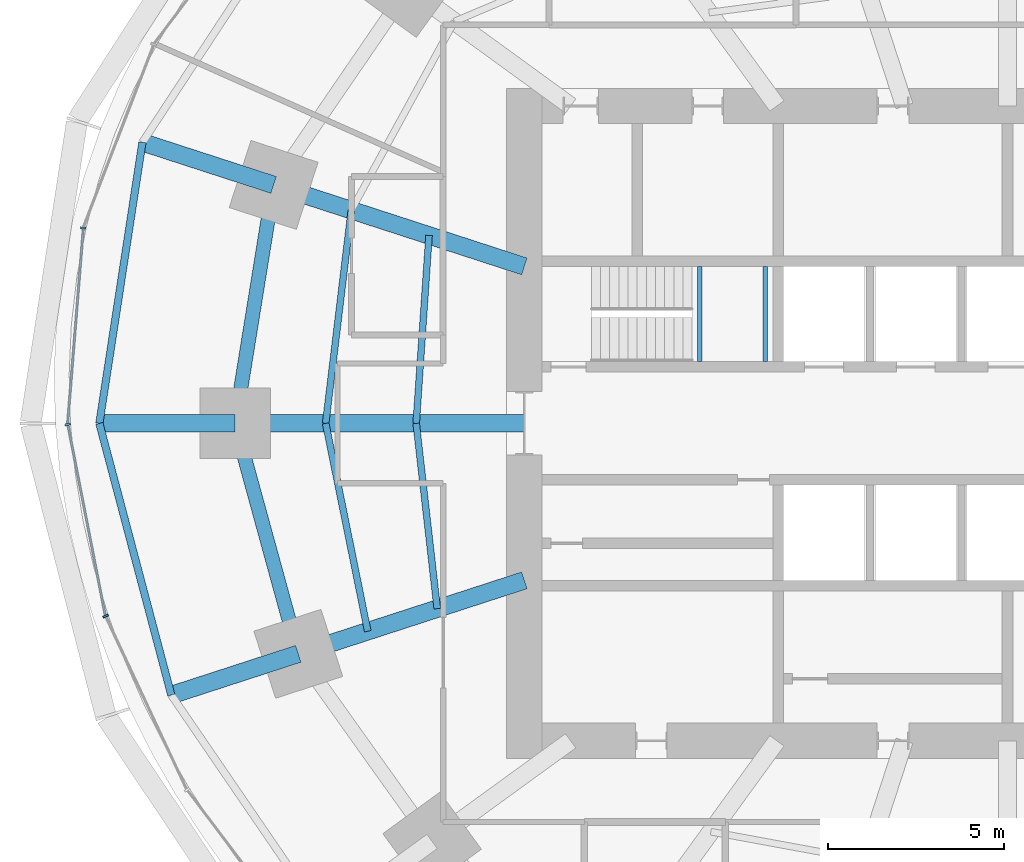
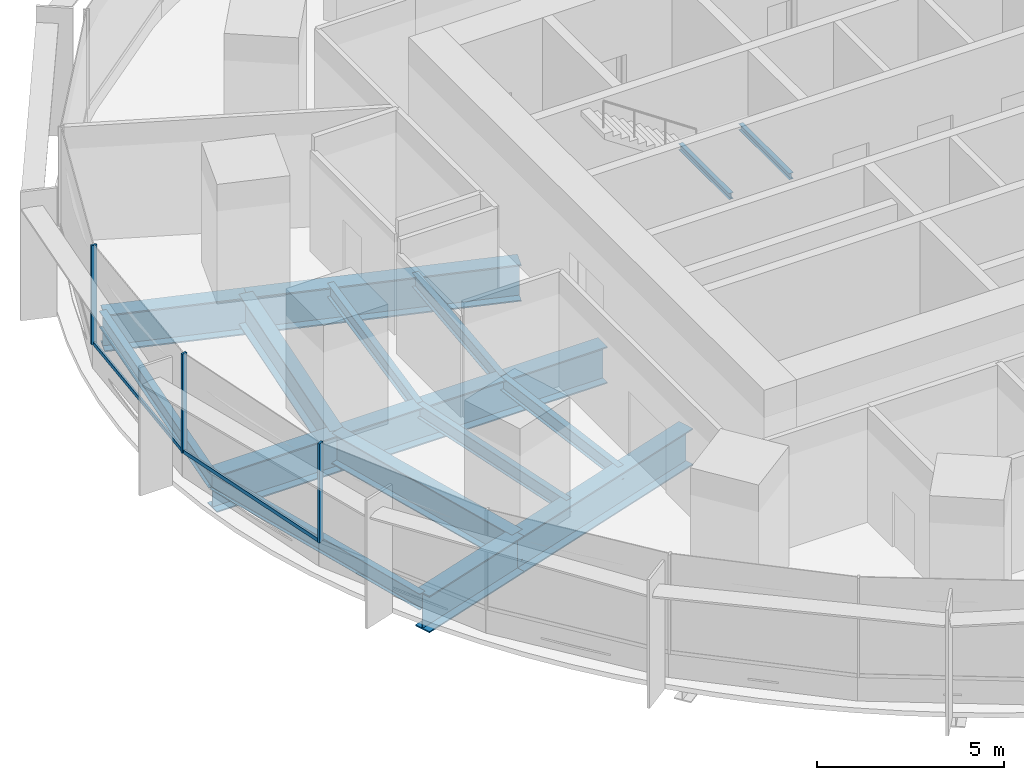
# One storey, part 4 of 15: 16 beams, 5 members, 2 elements without a shape of their own.
"""IFC4 building model written with IfcOpenShell, lengths in metres."""

import ifcopenshell
import ifcopenshell.guid

model = None  # the IFC model being written
_history = None  # IfcOwnerHistory: only IFC2X3 demands one
_inside = {}  # id of a spatial element -> (the spatial element, [elements in it])
_under = {}  # id of a project, library or spatial element -> (it, [spatial elements below it])
_declared = {}  # id of a project -> (the project, [libraries it declares])
_typed = {}  # id of a type object -> (the type object, [elements of that type])
_made_of = {}  # id of a material, layer set ... -> (it, [elements and type objects made of it])


def new_model(schema):
    """Start an empty IFC model of exactly this schema.

    Asked for "IFC4X3", IfcOpenShell would pick the latest addendum, in which some entities
    have other attributes; the version numbers below select the first issue.
    IFC2X3 requires an IfcOwnerHistory on every rooted entity: one is made here for all.
    """
    global model, _history
    if schema == "IFC4X3":
        model = ifcopenshell.file(schema_version=(4, 3, 0, 0))
    else:
        model = ifcopenshell.file(schema=schema)
    _inside.clear()
    _under.clear()
    _declared.clear()
    _typed.clear()
    _made_of.clear()
    _history = None
    if model.schema == "IFC2X3":
        org = make("IfcOrganization", Name="unknown")
        user = make(
            "IfcPersonAndOrganization",
            ThePerson=make("IfcPerson", FamilyName="unknown"),
            TheOrganization=org,
        )
        app = make(
            "IfcApplication",
            ApplicationDeveloper=org,
            Version="unknown",
            ApplicationFullName="unknown",
            ApplicationIdentifier="unknown",
        )
        _history = make(
            "IfcOwnerHistory",
            OwningUser=user,
            OwningApplication=app,
            ChangeAction="ADDED",
            CreationDate=0,
        )
    return model


def make(cls, **values):
    """One entity of the class cls with the attributes given. An attribute that is None is left unset."""
    return model.create_entity(
        cls, **{name: value for name, value in values.items() if value is not None}
    )


def rooted(cls, **values):
    """An entity with a GlobalId (a new one), such as an element, a storey or a relation."""
    return make(cls, GlobalId=ifcopenshell.guid.new(), OwnerHistory=_history, **values)


def si_unit(unit_type, name, prefix=None):
    """IfcSIUnit, for example si_unit("LENGTHUNIT", "METRE", prefix="MILLI")."""
    return make("IfcSIUnit", UnitType=unit_type, Prefix=prefix, Name=name)


def assignment(units):
    """IfcUnitAssignment: the units of a project."""
    return None if units is None else make("IfcUnitAssignment", Units=units)


def point(xyz):
    """IfcCartesianPoint."""
    return None if xyz is None else make("IfcCartesianPoint", Coordinates=xyz)


def direction(xyz):
    """IfcDirection."""
    return None if xyz is None else make("IfcDirection", DirectionRatios=xyz)


def frame(location, z_axis=None, x_axis=None):
    """IfcAxis2Placement3D, a coordinate frame: its origin and axes. An axis left out is left unset."""
    return make(
        "IfcAxis2Placement3D",
        Location=point(location),
        Axis=direction(z_axis),
        RefDirection=direction(x_axis),
    )


def frame_2d(location, x_axis=None):
    """IfcAxis2Placement2D, a coordinate frame in the plane: its origin and x axis."""
    return make(
        "IfcAxis2Placement2D", Location=point(location), RefDirection=direction(x_axis)
    )


def origin():
    """The frame at (0, 0, 0) with its axes left unset."""
    return frame((0.0, 0.0, 0.0))


def origin_2d():
    """The frame at (0, 0) in the plane with its x axis left unset."""
    return frame_2d((0.0, 0.0))


def place(relative_to, where):
    """IfcLocalPlacement: puts the frame where relative to a parent placement (None: the world)."""
    return make(
        "IfcLocalPlacement", PlacementRelTo=relative_to, RelativePlacement=where
    )


def context(
    kind, dimensions, precision=None, world=None, true_north=None, identifier=None
):
    """IfcGeometricRepresentationContext, for example the 3D "Model" context."""
    return make(
        "IfcGeometricRepresentationContext",
        ContextIdentifier=identifier,
        ContextType=kind,
        CoordinateSpaceDimension=dimensions,
        Precision=precision,
        WorldCoordinateSystem=world,
        TrueNorth=true_north,
    )


def subcontext(parent, identifier, kind, view, scale=None):
    """IfcGeometricRepresentationSubContext, for example "Body" below "Model"."""
    return make(
        "IfcGeometricRepresentationSubContext",
        ContextIdentifier=identifier,
        ContextType=kind,
        ParentContext=parent,
        TargetScale=scale,
        TargetView=view,
    )


def project(units=None, contexts=None):
    """IfcProject with its units and contexts."""
    return rooted(
        "IfcProject",
        Name="project",
        RepresentationContexts=contexts,
        UnitsInContext=assignment(units),
    )


def spatial(cls, under=None, at=None, **own):
    """A site, building, storey or space (cls), placed at a placement, below another one or the project."""
    s = rooted(cls, ObjectPlacement=at, **own)
    if under is not None:
        _under.setdefault(under.id(), (under, []))[1].append(s)
    return s


def profile(cls, at=None, kind="AREA", **sizes):
    """A parametric profile (cls). Its sizes go by their IFC names, for example OverallWidth=200.0."""
    return make(cls, ProfileType=kind, Position=at, **sizes)


def rectangle(**sizes):
    """IfcRectangleProfileDef."""
    return profile("IfcRectangleProfileDef", **sizes)


def i_section(**sizes):
    """IfcIShapeProfileDef."""
    return profile("IfcIShapeProfileDef", **sizes)


def extrude(swept, where, along, depth):
    """IfcExtrudedAreaSolid: the profile swept, set in the frame where, extruded along a direction by depth."""
    return make(
        "IfcExtrudedAreaSolid",
        SweptArea=swept,
        Position=where,
        ExtrudedDirection=direction(along),
        Depth=depth,
    )


def shape(context_of_items, identifier, shape_type, items):
    """IfcShapeRepresentation: the items that make up one representation, for example the "Body"."""
    return make(
        "IfcShapeRepresentation",
        ContextOfItems=context_of_items,
        RepresentationIdentifier=identifier,
        RepresentationType=shape_type,
        Items=items,
    )


def material(Name=None, Category=None):
    """IfcMaterial."""
    return make("IfcMaterial", Name=Name, Category=Category)


def material_profile(
    of_material, cross_section, Name=None, Category=None, Priority=None
):
    """IfcMaterialProfile: a cross section and its material."""
    return make(
        "IfcMaterialProfile",
        Name=Name,
        Material=of_material,
        Profile=cross_section,
        Priority=Priority,
        Category=Category,
    )


def profile_set(profiles, Name=None, composite=None):
    """IfcMaterialProfileSet."""
    return make(
        "IfcMaterialProfileSet",
        Name=Name,
        MaterialProfiles=profiles,
        CompositeProfile=composite,
    )


def made_of(thing, what):
    """Note that an element or type object is made of a material, layer set ...; save() writes the relation."""
    if what is not None:
        _made_of.setdefault(what.id(), (what, []))[1].append(thing)
    return thing


def type_object(cls, material=None, **own):
    """A type object (cls), such as IfcWallType, which elements share."""
    return made_of(rooted(cls, **own), material)


def element(
    cls,
    number,
    at=None,
    inside=None,
    cuts=None,
    type_object=None,
    material=None,
    context=None,
    identifier="Body",
    shape_type=None,
    held_by="IfcProductDefinitionShape",
    body=None,
    shapes=None,
    **own,
):
    """One element of the class cls, such as IfcWall. Its Tag is "e" and its number.

    at: its placement. inside: the storey or other place that contains it. cuts: it is an
    opening in that element (IfcRelVoidsElement). A single representation is given by context,
    identifier, shape_type and body (its items); several are given by shapes. held_by: the class
    of the entity that holds the representations. save() writes the other relations.
    """
    e = rooted(cls, Tag="e%d" % number, ObjectPlacement=at, **own)
    if body is not None:
        shapes = [shape(context, identifier, shape_type, body)]
    if shapes is not None:
        e.Representation = make(held_by, Representations=shapes)
    if inside is not None:
        _inside.setdefault(inside.id(), (inside, []))[1].append(e)
    if cuts is not None:
        rooted(
            "IfcRelVoidsElement", RelatingBuildingElement=cuts, RelatedOpeningElement=e
        )
    if type_object is not None:
        _typed.setdefault(type_object.id(), (type_object, []))[1].append(e)
    return made_of(e, material)


def aggregate(whole, parts):
    """IfcRelAggregates: a whole, such as a stair, and the parts it consists of."""
    return rooted("IfcRelAggregates", RelatingObject=whole, RelatedObjects=parts)


def save(model, path):
    """Write the relations noted so far, then the file.

    IfcRelAggregates (storeys below a building ...), IfcRelContainedInSpatialStructure (elements
    in a storey), IfcRelDefinesByType, IfcRelAssociatesMaterial and IfcRelDeclares: one each for
    every whole, place, type object, material and project.
    """
    for whole, parts in _under.values():
        aggregate(whole, parts)
    for where, things in _inside.values():
        rooted(
            "IfcRelContainedInSpatialStructure",
            RelatedElements=things,
            RelatingStructure=where,
        )
    for kind, things in _typed.values():
        rooted("IfcRelDefinesByType", RelatedObjects=things, RelatingType=kind)
    for what, things in _made_of.values():
        rooted("IfcRelAssociatesMaterial", RelatedObjects=things, RelatingMaterial=what)
    for by, libraries in _declared.values():
        rooted("IfcRelDeclares", RelatingContext=by, RelatedDefinitions=libraries)
    model.write(path)


model = new_model("IFC4")

# Units and contexts
model_context = context("Model", 3, precision=1e-05, world=origin(), true_north=direction((0.0, 1.0)))
body_context = subcontext(model_context, "Body", "Model", "MODEL_VIEW")
ifc_project = project(units=[si_unit("LENGTHUNIT", "METRE"), si_unit("AREAUNIT", "SQUARE_METRE"), si_unit("VOLUMEUNIT", "CUBIC_METRE"), si_unit("PLANEANGLEUNIT", "RADIAN"), si_unit("MASSUNIT", "GRAM", prefix="KILO")], contexts=[model_context])

# Site, building, storey
site_placement = place(None, origin())
site = spatial("IfcSite", under=ifc_project, at=site_placement, CompositionType="ELEMENT")
building_placement = place(site_placement, origin())
building = spatial("IfcBuilding", under=site, at=building_placement, Name="Marramba Exchange Tower", CompositionType="ELEMENT")
storey_placement = place(building_placement, frame((0.0, 0.0, 36.39990234375)))
storey = spatial("IfcBuildingStorey", under=building, at=storey_placement, Name="L08", CompositionType="ELEMENT", Elevation=36.39990234375)

# Beams
ifc_material_1 = material(Name="Steel AS/NZS 3679.2 grade 300", Category="steel")
ifc_material_profile_1 = material_profile(ifc_material_1, i_section(OverallWidth=0.5, OverallDepth=1.199951171875, WebThickness=0.01611328125, FlangeThickness=0.0400390625, at=origin_2d()), Name="1200WB455")
ifc_profile_set_1 = profile_set([ifc_material_profile_1], Name="Steel AS/NZS 3679.2 grade 300")
beam_type_1 = type_object("IfcBeamType", Name="Cantilever girder 1200WB455", PredefinedType="BEAM", material=ifc_profile_set_1)
beam_1_placement = place(storey_placement, frame((-20.808349609375, 6.760986328125, -0.760009765625), z_axis=(-0.951058833549, 0.309009862508, 0.0), x_axis=(-0.309009862508, -0.951058833549, 0.0)))
element("IfcBeam", 1, at=beam_1_placement, inside=storey, type_object=beam_type_1, Name="Cantilever girder L08 TC10", PredefinedType="BEAM", context=body_context, shape_type="SweptSolid", body=[
    extrude(i_section(OverallWidth=0.5, OverallDepth=1.199951171875, WebThickness=0.01611328125, FlangeThickness=0.0400390625, at=origin_2d()), origin(), (0.0, 0.0, 1.0), 3.91162109375),
])
beam_2_placement = place(storey_placement, frame((-21.89990234375, 0.0, -0.760009765625), z_axis=(-1.0, 0.0, 0.0), x_axis=(0.0, -1.0, 0.0)))
element("IfcBeam", 2, at=beam_2_placement, inside=storey, type_object=beam_type_1, Name="Cantilever girder L08 TC11", PredefinedType="BEAM", context=body_context, shape_type="SweptSolid", body=[
    extrude(i_section(OverallWidth=0.5, OverallDepth=1.199951171875, WebThickness=0.01611328125, FlangeThickness=0.0400390625, at=origin_2d()), origin(), (0.0, 0.0, 1.0), 3.85009765625),
])
beam_3_placement = place(storey_placement, frame((-20.109375, -6.533935546875, -0.760009765625), z_axis=(-0.951048759501, -0.309040866314, 0.0), x_axis=(0.309040866314, -0.951048759501, 0.0)))
element("IfcBeam", 3, at=beam_3_placement, inside=storey, type_object=beam_type_1, Name="Cantilever girder L08 TC12", PredefinedType="BEAM", context=body_context, shape_type="SweptSolid", body=[
    extrude(i_section(OverallWidth=0.5, OverallDepth=1.199951171875, WebThickness=0.01611328125, FlangeThickness=0.0400390625, at=origin_2d()), origin(), (0.0, 0.0, 1.0), 3.78564453125),
])
ifc_material_2 = material(Name="Steel AS/NZS 3679.1 grade 300", Category="steel")
ifc_material_profile_2 = material_profile(ifc_material_2, i_section(OverallWidth=0.18994140625, OverallDepth=0.4541015625, WebThickness=0.008544921875, FlangeThickness=0.0126953125, FilletRadius=0.011474609375, at=origin_2d()), Name="460UB67.1")
ifc_profile_set_2 = profile_set([ifc_material_profile_2], Name="Steel AS/NZS 3679.1 grade 300")
beam_type_2 = type_object("IfcBeamType", Name="Floor joist 460UB67.1", PredefinedType="JOIST", material=ifc_profile_set_2)
beam_4_placement = place(storey_placement, frame((-16.40283203125, 5.32958984375, -0.386962890625), z_axis=(-0.068096259546, -0.99767875563, 0.0), x_axis=(0.99767875563, -0.068096259546, 0.0)))
element("IfcBeam", 4, at=beam_4_placement, inside=storey, type_object=beam_type_2, Name="Joist L08 bay 10 row 1", PredefinedType="JOIST", context=body_context, shape_type="SweptSolid", body=[
    extrude(i_section(OverallWidth=0.18994140625, OverallDepth=0.4541015625, WebThickness=0.008544921875, FlangeThickness=0.0126953125, FilletRadius=0.011474609375, at=origin_2d()), origin(), (0.0, 0.0, 1.0), 5.342041015625),
])
beam_5_placement = place(storey_placement, frame((-18.60546875, 6.04541015625, -0.386962890625), z_axis=(-0.119523078538, -0.992831422597, 0.0), x_axis=(0.992831422597, -0.119523078538, 0.0)))
element("IfcBeam", 5, at=beam_5_placement, inside=storey, type_object=beam_type_2, Name="Joist L08 bay 10 row 2", PredefinedType="JOIST", context=body_context, shape_type="SweptSolid", body=[
    extrude(i_section(OverallWidth=0.18994140625, OverallDepth=0.4541015625, WebThickness=0.008544921875, FlangeThickness=0.0126953125, FilletRadius=0.011474609375, at=origin_2d()), origin(), (0.0, 0.0, 1.0), 6.089111328125),
])
beam_6_placement = place(storey_placement, frame((-16.7666015625, 0.0, -0.386962890625), z_axis=(0.112888968594, -0.993607609054, 0.0), x_axis=(0.993607609054, 0.112888968594, 0.0)))
element("IfcBeam", 6, at=beam_6_placement, inside=storey, type_object=beam_type_2, Name="Joist L08 bay 11 row 1", PredefinedType="JOIST", context=body_context, shape_type="SweptSolid", body=[
    extrude(i_section(OverallWidth=0.18994140625, OverallDepth=0.4541015625, WebThickness=0.008544921875, FlangeThickness=0.0126953125, FilletRadius=0.011474609375, at=origin_2d()), origin(), (0.0, 0.0, 1.0), 5.28759765625),
])
beam_7_placement = place(storey_placement, frame((-19.333251953125, 0.0, -0.386962890625), z_axis=(0.198489047047, -0.980103105904, 0.0), x_axis=(0.980103105904, 0.198489047047, 0.0)))
element("IfcBeam", 7, at=beam_7_placement, inside=storey, type_object=beam_type_2, Name="Joist L08 bay 11 row 2", PredefinedType="JOIST", context=body_context, shape_type="SweptSolid", body=[
    extrude(i_section(OverallWidth=0.18994140625, OverallDepth=0.4541015625, WebThickness=0.008544921875, FlangeThickness=0.0126953125, FilletRadius=0.011474609375, at=origin_2d()), origin(), (0.0, 0.0, 1.0), 6.013427734375),
])
ifc_material_profile_3 = material_profile(ifc_material_1, i_section(OverallWidth=0.5, OverallDepth=1.199951171875, WebThickness=0.01611328125, FlangeThickness=0.0400390625, at=origin_2d()), Name="1200WB455")
ifc_profile_set_3 = profile_set([ifc_material_profile_3], Name="Steel AS/NZS 3679.2 grade 300")
beam_type_3 = type_object("IfcBeamType", Name="Radial girder 1200WB455", PredefinedType="BEAM", material=ifc_profile_set_3)
beam_8_placement = place(storey_placement, frame((-13.699951171875, 4.451416015625, -0.760009765625), z_axis=(-0.951059990189, 0.309006302624, 0.0), x_axis=(-0.309006302624, -0.951059990189, 0.0)))
element("IfcBeam", 8, at=beam_8_placement, inside=storey, type_object=beam_type_3, Name="Radial girder L08 TC10", PredefinedType="BEAM", context=body_context, shape_type="SweptSolid", body=[
    extrude(i_section(OverallWidth=0.5, OverallDepth=1.199951171875, WebThickness=0.01611328125, FlangeThickness=0.0400390625, at=origin_2d()), origin(), (0.0, 0.0, 1.0), 7.47412109375),
])
beam_9_placement = place(storey_placement, frame((-13.699951171875, 0.0, -0.760009765625), z_axis=(-1.0, 0.0, 0.0), x_axis=(0.0, -1.0, 0.0)))
element("IfcBeam", 9, at=beam_9_placement, inside=storey, type_object=beam_type_3, Name="Radial girder L08 TC11", PredefinedType="BEAM", context=body_context, shape_type="SweptSolid", body=[
    extrude(i_section(OverallWidth=0.5, OverallDepth=1.199951171875, WebThickness=0.01611328125, FlangeThickness=0.0400390625, at=origin_2d()), origin(), (0.0, 0.0, 1.0), 8.199951171875),
])
beam_10_placement = place(storey_placement, frame((-13.699951171875, -4.451416015625, -0.760009765625), z_axis=(-0.951057759669, -0.309013167637, 0.0), x_axis=(0.309013167637, -0.951057759669, 0.0)))
element("IfcBeam", 10, at=beam_10_placement, inside=storey, type_object=beam_type_3, Name="Radial girder L08 TC12", PredefinedType="BEAM", context=body_context, shape_type="SweptSolid", body=[
    extrude(i_section(OverallWidth=0.5, OverallDepth=1.199951171875, WebThickness=0.01611328125, FlangeThickness=0.0400390625, at=origin_2d()), origin(), (0.0, 0.0, 1.0), 6.7392578125),
])
ifc_material_profile_4 = material_profile(ifc_material_1, i_section(OverallWidth=0.39990234375, OverallDepth=1.0, WebThickness=0.01611328125, FlangeThickness=0.031982421875, at=origin_2d()), Name="1000WB322")
ifc_profile_set_4 = profile_set([ifc_material_profile_4], Name="Steel AS/NZS 3679.2 grade 300")
beam_type_4 = type_object("IfcBeamType", Name="Ring beam 1000WB322", PredefinedType="SPANDREL", material=ifc_profile_set_4)
beam_11_placement = place(storey_placement, frame((-20.808349609375, 6.760986328125, -0.659912109375), z_axis=(-0.159384865399, -0.987216523708, 0.0), x_axis=(0.987216523708, -0.159384865399, 0.0)))
element("IfcBeam", 11, at=beam_11_placement, inside=storey, type_object=beam_type_4, Name="Ring beam L08 TC10-TC11", PredefinedType="SPANDREL", context=body_context, shape_type="SweptSolid", body=[
    extrude(i_section(OverallWidth=0.39990234375, OverallDepth=1.0, WebThickness=0.01611328125, FlangeThickness=0.031982421875, at=origin_2d()), origin(), (0.0, 0.0, 1.0), 6.8486328125),
])
beam_12_placement = place(storey_placement, frame((-21.89990234375, 0.0, -0.659912109375), z_axis=(0.264291166956, -0.964442937176, 0.0), x_axis=(0.964442937176, 0.264291166956, 0.0)))
element("IfcBeam", 12, at=beam_12_placement, inside=storey, type_object=beam_type_4, Name="Ring beam L08 TC11-TC12", PredefinedType="SPANDREL", context=body_context, shape_type="SweptSolid", body=[
    extrude(i_section(OverallWidth=0.39990234375, OverallDepth=1.0, WebThickness=0.01611328125, FlangeThickness=0.031982421875, at=origin_2d()), origin(), (0.0, 0.0, 1.0), 6.77490234375),
])
ifc_material_profile_5 = material_profile(ifc_material_2, i_section(OverallWidth=0.208984375, OverallDepth=0.528076171875, WebThickness=0.009521484375, FlangeThickness=0.01318359375, FilletRadius=0.013916015625, at=origin_2d()), Name="530UB82.0")
ifc_profile_set_5 = profile_set([ifc_material_profile_5], Name="Steel AS/NZS 3679.1 grade 300")
beam_type_5 = type_object("IfcBeamType", Name="Slab edge beam 530UB82.0", PredefinedType="SPANDREL", material=ifc_profile_set_5)
beam_13_placement = place(storey_placement, frame((-24.528564453125, 7.9697265625, -0.423828125), z_axis=(-0.151490591645, -0.988458699513, 0.0), x_axis=(0.988458699513, -0.151490591645, 0.0)))
element("IfcBeam", 13, at=beam_13_placement, inside=storey, type_object=beam_type_5, Name="Slab edge beam L08 TC10-TC11", PredefinedType="SPANDREL", context=body_context, shape_type="SweptSolid", body=[
    extrude(i_section(OverallWidth=0.208984375, OverallDepth=0.528076171875, WebThickness=0.009521484375, FlangeThickness=0.01318359375, FilletRadius=0.013916015625, at=origin_2d()), origin(), (0.0, 0.0, 1.0), 8.062744140625),
])
beam_14_placement = place(storey_placement, frame((-25.75, 0.0, -0.423828125), z_axis=(0.25601296674, -0.966673347549, 0.0), x_axis=(0.966673347549, 0.25601296674, 0.0)))
element("IfcBeam", 14, at=beam_14_placement, inside=storey, type_object=beam_type_5, Name="Slab edge beam L08 TC11-TC12", PredefinedType="SPANDREL", context=body_context, shape_type="SweptSolid", body=[
    extrude(i_section(OverallWidth=0.208984375, OverallDepth=0.528076171875, WebThickness=0.009521484375, FlangeThickness=0.01318359375, FilletRadius=0.013916015625, at=origin_2d()), origin(), (0.0, 0.0, 1.0), 7.969482421875),
])
ifc_material_profile_6 = material_profile(ifc_material_2, i_section(OverallWidth=0.133056640625, OverallDepth=0.202880859375, WebThickness=0.005859375, FlangeThickness=0.0078125, FilletRadius=0.0087890625, at=origin_2d()), Name="200UB25.4")
ifc_profile_set_6 = profile_set([ifc_material_profile_6], Name="Steel AS/NZS 3679.1 grade 300")
beam_type_6 = type_object("IfcBeamType", Name="Stair landing beam 200UB25.4", PredefinedType="BEAM", material=ifc_profile_set_6)
for number, where, z_axis, x_axis, name in (
    (15, (-8.723388671875, 1.75, 1.798583984375), (0.0, 1.0, 0.0), (-1.0, 0.0, 0.0), "Stair landing beam SLB1 ST1 L08 1"),
    (16, (-6.866455078125, 1.75, 1.798583984375), (0.0, 1.0, 0.0), (-1.0, 0.0, 0.0), "Stair landing beam SLB1 ST1 L08 2"),
):
    element("IfcBeam", number, at=place(storey_placement, frame(where, z_axis=z_axis, x_axis=x_axis)), inside=storey, type_object=beam_type_6, Name=name, PredefinedType="BEAM", context=body_context, shape_type="SweptSolid", body=[
        extrude(i_section(OverallWidth=0.133056640625, OverallDepth=0.202880859375, WebThickness=0.005859375, FlangeThickness=0.0078125, FilletRadius=0.0087890625, at=origin_2d()), origin(), (0.0, 0.0, 1.0), 2.699951171875),
    ])

# Curtain wall, member
ifc_material_3 = material(Name="Aluminium framing, bronze anodised", Category="aluminium")
curtain_wall_type = type_object("IfcCurtainWallType", Name="Trading floor ribbon curtain wall", PredefinedType="USERDEFINED", material=ifc_material_3)
curtain_wall_1_placement = place(storey_placement, origin())
curtain_wall_1 = element("IfcCurtainWall", 17, at=curtain_wall_1_placement, inside=storey, type_object=curtain_wall_type, Name="Curtain wall CW3 L08 F11-F15", ObjectType="RIBBON CURTAIN WALL", PredefinedType="USERDEFINED")
ifc_material_4 = material(Name="Aluminium mullion, bronze anodised", Category="aluminium")
ifc_material_profile_7 = material_profile(ifc_material_4, rectangle(XDim=0.159912109375, YDim=0.06005859375, at=origin_2d()), Name="CW3 mullion 60x160")
ifc_profile_set_7 = profile_set([ifc_material_profile_7], Name="Aluminium mullion, bronze anodised")
member_type_1 = type_object("IfcMemberType", Name="Trading floor ribbon curtain wall mullion", PredefinedType="MULLION", material=ifc_profile_set_7)
member_1_placement = place(storey_placement, frame((-26.203857421875, 5.539306640625, 0.800048828125), z_axis=(0.0, 0.0, 1.0), x_axis=(0.996772736434, -0.080275225953, 0.0)))
member_1 = element("IfcMember", 18, at=member_1_placement, type_object=member_type_1, Name="CW3 mullion 1", PredefinedType="MULLION", context=body_context, shape_type="SweptSolid", body=[
    extrude(rectangle(XDim=0.159912109375, YDim=0.06005859375, at=origin_2d()), origin(), (0.0, 0.0, 1.0), 3.239990234375),
])

# Curtain wall, members
curtain_wall_2_placement = place(storey_placement, origin())
curtain_wall_2 = element("IfcCurtainWall", 19, at=curtain_wall_2_placement, inside=storey, type_object=curtain_wall_type, Name="Curtain wall CW3 L08 F16-F20", ObjectType="RIBBON CURTAIN WALL", PredefinedType="USERDEFINED")
member_2_placement = place(storey_placement, frame((-26.644287109375, -0.029541015625, 0.800048828125), z_axis=(0.0, 0.0, 1.0), x_axis=(0.981346261612, 0.1922485756, 0.0)))
member_2 = element("IfcMember", 20, at=member_2_placement, type_object=member_type_1, Name="CW3 mullion 1", PredefinedType="MULLION", context=body_context, shape_type="SweptSolid", body=[
    extrude(rectangle(XDim=0.159912109375, YDim=0.06005859375, at=origin_2d()), origin(), (0.0, 0.0, 1.0), 3.239990234375),
])
member_3_placement = place(storey_placement, frame((-25.572021484375, -5.46533203125, 0.800048828125), z_axis=(0.0, 0.0, 1.0), x_axis=(0.905906758768, 0.423477206492, 0.0)))
member_3 = element("IfcMember", 21, at=member_3_placement, type_object=member_type_1, Name="CW3 mullion 1", PredefinedType="MULLION", context=body_context, shape_type="SweptSolid", body=[
    extrude(rectangle(XDim=0.159912109375, YDim=0.06005859375, at=origin_2d()), origin(), (0.0, 0.0, 1.0), 3.239990234375),
])

# Member
ifc_material_5 = material(Name="Aluminium transom, bronze anodised", Category="aluminium")
ifc_material_profile_8 = material_profile(ifc_material_5, rectangle(XDim=0.06005859375, YDim=0.1201171875, at=origin_2d()), Name="CW3 transom 60x120")
ifc_profile_set_8 = profile_set([ifc_material_profile_8], Name="Aluminium transom, bronze anodised")
member_type_2 = type_object("IfcMemberType", Name="Trading floor ribbon curtain wall transom", PredefinedType="USERDEFINED", material=ifc_profile_set_8)
member_4_placement = place(storey_placement, frame((-26.206298828125, 5.509521484375, 0.830078125), z_axis=(-0.080256075865, -0.996774278504, 0.0), x_axis=(0.996774278504, -0.080256075865, 0.0)))
member_4 = element("IfcMember", 22, at=member_4_placement, type_object=member_type_2, Name="CW3 sill transom", ObjectType="TRANSOM", PredefinedType="USERDEFINED", context=body_context, shape_type="SweptSolid", body=[
    extrude(rectangle(XDim=0.06005859375, YDim=0.1201171875, at=origin_2d()), origin(), (0.0, 0.0, 1.0), 5.52734375),
])

aggregate(curtain_wall_1, [member_1, member_4])

member_5_placement = place(storey_placement, frame((-26.638427734375, -0.058837890625, 0.830078125), z_axis=(0.192226081646, -0.981350667975, 0.0), x_axis=(0.981350667975, 0.192226081646, 0.0)))
member_5 = element("IfcMember", 23, at=member_5_placement, type_object=member_type_2, Name="CW3 sill transom", ObjectType="TRANSOM", PredefinedType="USERDEFINED", context=body_context, shape_type="SweptSolid", body=[
    extrude(rectangle(XDim=0.06005859375, YDim=0.1201171875, at=origin_2d()), origin(), (0.0, 0.0, 1.0), 5.481689453125),
])

aggregate(curtain_wall_2, [member_2, member_5, member_3])

save(model, "model.ifc")
